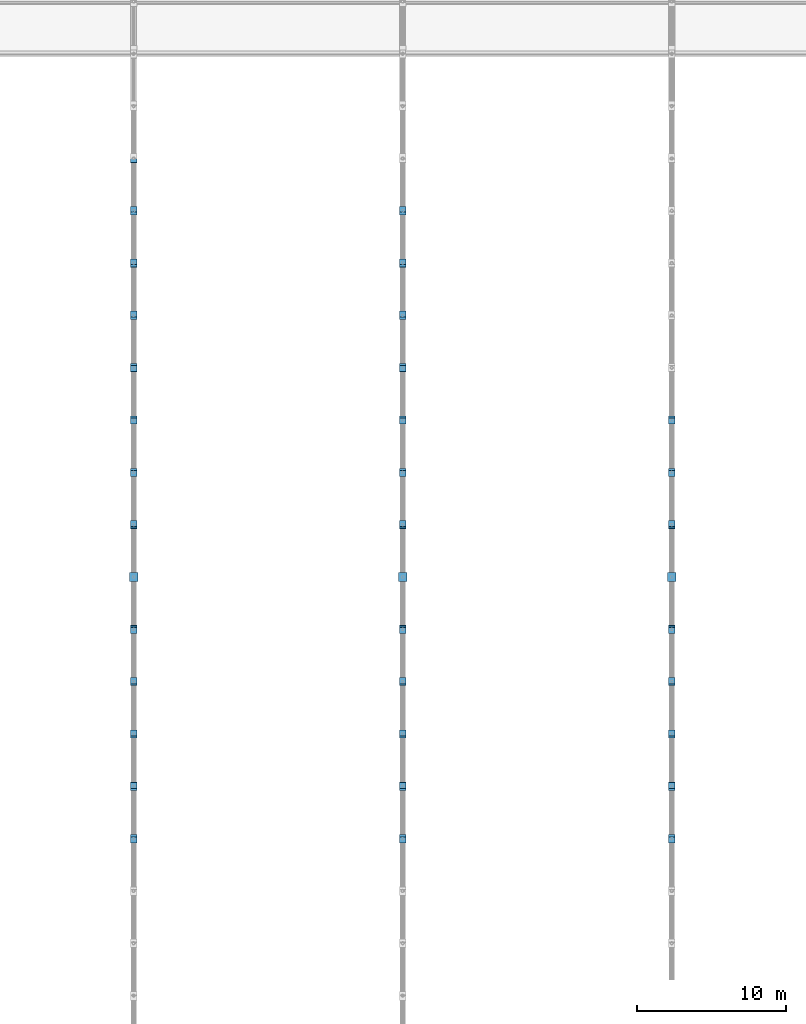
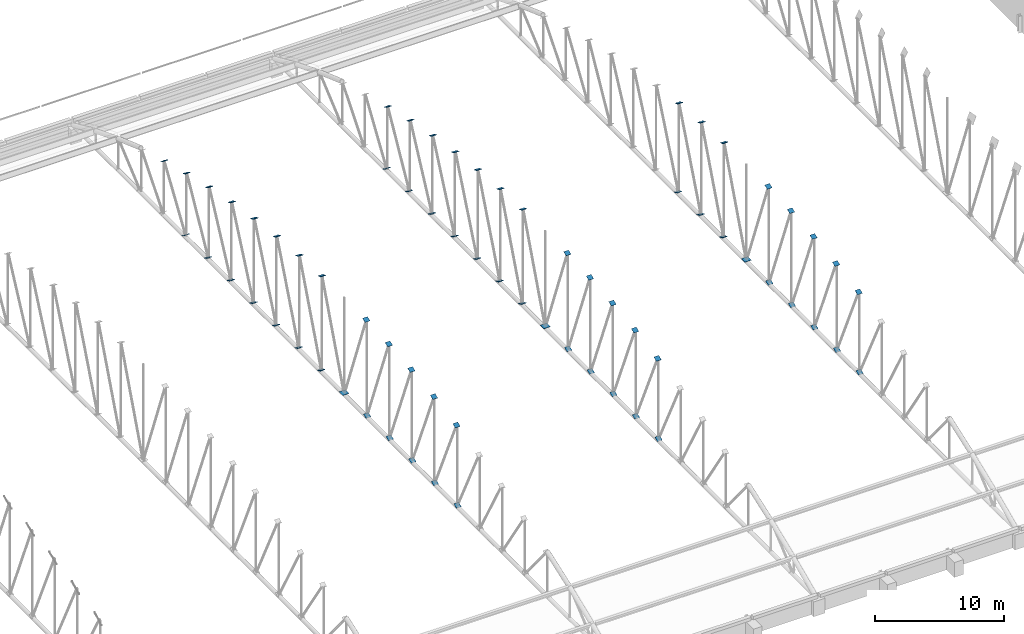
# One storey, part 175 of 196: 68 discrete accessories.
"""IFC4 building model written with IfcOpenShell, lengths in metres."""

from ifc_helpers import new_model, si_unit, direction, frame, origin, origin_2d, place, context, subcontext, project, spatial, rectangle, extrude, material, layer, layer_set, type_object, element, save


model = new_model("IFC4")

# Units and contexts
model_context = context("Model", 3, precision=1e-05, world=origin(), true_north=direction((0.0, 1.0)))
body_context = subcontext(model_context, "Body", "Model", "MODEL_VIEW")
ifc_project = project(units=[si_unit("LENGTHUNIT", "METRE"), si_unit("AREAUNIT", "SQUARE_METRE"), si_unit("VOLUMEUNIT", "CUBIC_METRE"), si_unit("PLANEANGLEUNIT", "RADIAN"), si_unit("MASSUNIT", "GRAM", prefix="KILO")], contexts=[model_context])

# Site, building, storey
site_placement = place(None, origin())
site = spatial("IfcSite", under=ifc_project, at=site_placement, CompositionType="ELEMENT")
building_placement = place(site_placement, origin())
building = spatial("IfcBuilding", under=site, at=building_placement, Name="Okhra Congress Centre", CompositionType="ELEMENT")
storey_placement = place(building_placement, frame((0.0, 0.0, 12.0)))
storey = spatial("IfcBuildingStorey", under=building, at=storey_placement, Name="L02", CompositionType="ELEMENT", Elevation=12.0)

# Discrete accessories
ifc_material = material(Name="Steel S355J2", Category="steel")
ifc_layer = layer(ifc_material, 0.02001953125)
ifc_layer_set = layer_set([ifc_layer], Name="Brace end connection plate 20 mm S355")
discrete_accessory_type = type_object("IfcDiscreteAccessoryType", Name="Brace end connection plate 20 mm S355", PredefinedType="BRACKET", material=ifc_layer_set)
for number, where, z_axis, x_axis, name in (
    (1, (82.0, 156.412841796875, 1.577880859375), (0.0, 0.437465718849, -0.899235088746), (-1.0, 0.0, 0.0), "Brace end connection plate"),
    (2, (82.0, 156.57763671875, 9.0595703125), (0.0, -0.402738614266, 0.915315032423), (1.0, 0.0, 0.0), "Brace end connection plate"),
    (3, (82.0, 159.920654296875, 1.577880859375), (0.0, 0.402738614266, -0.915315032423), (-1.0, 0.0, 0.0), "Brace end connection plate"),
    (4, (82.0, 160.073486328125, 9.6240234375), (0.0, -0.388057000058, 0.921635375138), (1.0, 0.0, 0.0), "Brace end connection plate"),
    (5, (82.0, 163.426025390625, 1.577880859375), (0.0, 0.377683854905, -0.925934612024), (-1.0, 0.0, 0.0), "Brace end connection plate"),
    (6, (82.0, 163.570556640625, 10.060546875), (0.0, -0.367166534736, 0.930155221331), (1.0, 0.0, 0.0), "Brace end connection plate"),
    (7, (82.0, 166.9296875, 1.577880859375), (0.0, 0.367166534736, -0.930155221331), (-1.0, 0.0, 0.0), "Brace end connection plate"),
    (8, (82.0, 167.069091796875, 10.37060546875), (0.0, -0.367166534736, 0.930155221331), (1.0, 0.0, 0.0), "Brace end connection plate"),
):
    element("IfcDiscreteAccessory", number, at=place(storey_placement, frame(where, z_axis=z_axis, x_axis=x_axis)), inside=storey, type_object=discrete_accessory_type, Name=name, PredefinedType="BRACKET", context=body_context, shape_type="SweptSolid", body=[
        extrude(rectangle(XDim=0.43798828125, YDim=0.43798828125, at=origin_2d()), origin(), (0.0, 0.0, 1.0), 0.02001953125),
    ])
discrete_accessory_1_placement = place(storey_placement, frame((82.0, 170.431884765625, 1.577880859375), z_axis=(0.0, 0.363030152722, -0.931777391985), x_axis=(-1.0, 0.0, 0.0)))
element("IfcDiscreteAccessory", 9, at=discrete_accessory_1_placement, inside=storey, type_object=discrete_accessory_type, Name="Brace end connection plate", PredefinedType="BRACKET", context=body_context, shape_type="SweptSolid", body=[
    extrude(rectangle(XDim=0.43798828125, YDim=0.43798828125, at=origin_2d()), origin(), (0.0, 0.0, 1.0), 0.020263671875),
])
discrete_accessory_2_placement = place(storey_placement, frame((82.0, 170.568359375, 10.55517578125), z_axis=(0.0, -0.341743063087, 0.939793423488), x_axis=(1.0, 0.0, 0.0)))
element("IfcDiscreteAccessory", 10, at=discrete_accessory_2_placement, inside=storey, type_object=discrete_accessory_type, Name="Brace end connection plate", PredefinedType="BRACKET", context=body_context, shape_type="SweptSolid", body=[
    extrude(rectangle(XDim=0.43798828125, YDim=0.43798828125, at=origin_2d()), origin(), (0.0, 0.0, 1.0), 0.02001953125),
])
discrete_accessory_3_placement = place(storey_placement, frame((82.0, 174.0, 1.577880859375), z_axis=(0.0, 0.0, -1.0), x_axis=(1.0, 0.0, 0.0)))
element("IfcDiscreteAccessory", 11, at=discrete_accessory_3_placement, inside=storey, type_object=discrete_accessory_type, Name="Brace end connection plate", PredefinedType="BRACKET", context=body_context, shape_type="SweptSolid", body=[
    extrude(rectangle(XDim=0.571044921875, YDim=0.571044921875, at=origin_2d()), origin(), (0.0, 0.0, 1.0), 0.02001953125),
])
for number, where, z_axis, x_axis, name in (
    (12, (82.0, 177.431640625, 10.55517578125), (0.0, 0.341743063087, 0.939793423488), (-1.0, 0.0, 0.0), "Brace end connection plate"),
    (13, (82.0, 180.930908203125, 10.37060546875), (0.0, 0.367166534736, 0.930155221331), (-1.0, 0.0, 0.0), "Brace end connection plate"),
):
    element("IfcDiscreteAccessory", number, at=place(storey_placement, frame(where, z_axis=z_axis, x_axis=x_axis)), inside=storey, type_object=discrete_accessory_type, Name=name, PredefinedType="BRACKET", context=body_context, shape_type="SweptSolid", body=[
        extrude(rectangle(XDim=0.43798828125, YDim=0.43798828125, at=origin_2d()), origin(), (0.0, 0.0, 1.0), 0.02001953125),
    ])
discrete_accessory_4_placement = place(storey_placement, frame((82.0, 177.568115234375, 1.577880859375), z_axis=(0.0, -0.363030152722, -0.931777391985), x_axis=(1.0, 0.0, 0.0)))
element("IfcDiscreteAccessory", 14, at=discrete_accessory_4_placement, inside=storey, type_object=discrete_accessory_type, Name="Brace end connection plate", PredefinedType="BRACKET", context=body_context, shape_type="SweptSolid", body=[
    extrude(rectangle(XDim=0.43798828125, YDim=0.43798828125, at=origin_2d()), origin(), (0.0, 0.0, 1.0), 0.020263671875),
])
for number, where, z_axis, x_axis, name in (
    (15, (82.0, 184.429443359375, 10.060546875), (0.0, 0.367166534736, 0.930155221331), (-1.0, 0.0, 0.0), "Brace end connection plate"),
    (16, (82.0, 181.0703125, 1.577880859375), (0.0, -0.367166534736, -0.930155221331), (1.0, 0.0, 0.0), "Brace end connection plate"),
    (17, (82.0, 187.926513671875, 9.6240234375), (0.0, 0.388057000058, 0.921635375138), (-1.0, 0.0, 0.0), "Brace end connection plate"),
    (18, (82.0, 184.573974609375, 1.577880859375), (0.0, -0.377683854905, -0.925934612024), (1.0, 0.0, 0.0), "Brace end connection plate"),
    (19, (82.0, 191.42236328125, 9.0595703125), (0.0, 0.402738614266, 0.915315032423), (-1.0, 0.0, 0.0), "Brace end connection plate"),
    (20, (82.0, 188.079345703125, 1.577880859375), (0.0, -0.402738614266, -0.915315032423), (1.0, 0.0, 0.0), "Brace end connection plate"),
):
    element("IfcDiscreteAccessory", number, at=place(storey_placement, frame(where, z_axis=z_axis, x_axis=x_axis)), inside=storey, type_object=discrete_accessory_type, Name=name, PredefinedType="BRACKET", context=body_context, shape_type="SweptSolid", body=[
        extrude(rectangle(XDim=0.43798828125, YDim=0.43798828125, at=origin_2d()), origin(), (0.0, 0.0, 1.0), 0.02001953125),
    ])
discrete_accessory_5_placement = place(storey_placement, frame((82.0, 194.916259765625, 8.365234375), z_axis=(0.0, 0.44229248412, 0.896870870578), x_axis=(-1.0, 0.0, 0.0)))
element("IfcDiscreteAccessory", 21, at=discrete_accessory_5_placement, inside=storey, type_object=discrete_accessory_type, Name="Brace end connection plate", PredefinedType="BRACKET", context=body_context, shape_type="SweptSolid", body=[
    extrude(rectangle(XDim=0.43798828125, YDim=0.43798828125, at=origin_2d()), origin(), (0.0, 0.0, 1.0), 0.019775390625),
])
for number, where, z_axis, x_axis, name in (
    (22, (82.0, 191.587158203125, 1.577880859375), (0.0, -0.437465718849, -0.899235088746), (1.0, 0.0, 0.0), "Brace end connection plate"),
    (23, (82.0, 198.4072265625, 7.538330078125), (0.0, 0.485642931179, 0.874157276122), (-1.0, 0.0, 0.0), "Brace end connection plate"),
    (24, (82.0, 195.0986328125, 1.577880859375), (0.0, -0.485642931179, -0.874157276122), (1.0, 0.0, 0.0), "Brace end connection plate"),
    (25, (82.0, 201.89404296875, 6.576416015625), (0.0, 0.551866900848, 0.833932205727), (-1.0, 0.0, 0.0), "Brace end connection plate"),
    (26, (82.0, 198.61669921875, 1.577880859375), (0.0, -0.546267780547, -0.837610596839), (1.0, 0.0, 0.0), "Brace end connection plate"),
    (27, (100.0, 156.412841796875, 1.577880859375), (0.0, 0.437465718849, -0.899235088746), (-1.0, 0.0, 0.0), "Brace end connection plate"),
    (28, (100.0, 156.57763671875, 9.0595703125), (0.0, -0.402738614266, 0.915315032423), (1.0, 0.0, 0.0), "Brace end connection plate"),
    (29, (100.0, 159.920654296875, 1.577880859375), (0.0, 0.402738614266, -0.915315032423), (-1.0, 0.0, 0.0), "Brace end connection plate"),
    (30, (100.0, 160.073486328125, 9.6240234375), (0.0, -0.388057000058, 0.921635375138), (1.0, 0.0, 0.0), "Brace end connection plate"),
    (31, (100.0, 163.426025390625, 1.577880859375), (0.0, 0.377683854905, -0.925934612024), (-1.0, 0.0, 0.0), "Brace end connection plate"),
    (32, (100.0, 163.570556640625, 10.060546875), (0.0, -0.367166534736, 0.930155221331), (1.0, 0.0, 0.0), "Brace end connection plate"),
    (33, (100.0, 166.9296875, 1.577880859375), (0.0, 0.367166534736, -0.930155221331), (-1.0, 0.0, 0.0), "Brace end connection plate"),
    (34, (100.0, 167.069091796875, 10.37060546875), (0.0, -0.367166534736, 0.930155221331), (1.0, 0.0, 0.0), "Brace end connection plate"),
):
    element("IfcDiscreteAccessory", number, at=place(storey_placement, frame(where, z_axis=z_axis, x_axis=x_axis)), inside=storey, type_object=discrete_accessory_type, Name=name, PredefinedType="BRACKET", context=body_context, shape_type="SweptSolid", body=[
        extrude(rectangle(XDim=0.43798828125, YDim=0.43798828125, at=origin_2d()), origin(), (0.0, 0.0, 1.0), 0.02001953125),
    ])
discrete_accessory_6_placement = place(storey_placement, frame((100.0, 170.431884765625, 1.577880859375), z_axis=(0.0, 0.363030152722, -0.931777391985), x_axis=(-1.0, 0.0, 0.0)))
element("IfcDiscreteAccessory", 35, at=discrete_accessory_6_placement, inside=storey, type_object=discrete_accessory_type, Name="Brace end connection plate", PredefinedType="BRACKET", context=body_context, shape_type="SweptSolid", body=[
    extrude(rectangle(XDim=0.43798828125, YDim=0.43798828125, at=origin_2d()), origin(), (0.0, 0.0, 1.0), 0.020263671875),
])
discrete_accessory_7_placement = place(storey_placement, frame((100.0, 170.568359375, 10.55517578125), z_axis=(0.0, -0.341743063087, 0.939793423488), x_axis=(1.0, 0.0, 0.0)))
element("IfcDiscreteAccessory", 36, at=discrete_accessory_7_placement, inside=storey, type_object=discrete_accessory_type, Name="Brace end connection plate", PredefinedType="BRACKET", context=body_context, shape_type="SweptSolid", body=[
    extrude(rectangle(XDim=0.43798828125, YDim=0.43798828125, at=origin_2d()), origin(), (0.0, 0.0, 1.0), 0.02001953125),
])
discrete_accessory_8_placement = place(storey_placement, frame((100.0, 174.0, 1.577880859375), z_axis=(0.0, 0.0, -1.0), x_axis=(1.0, 0.0, 0.0)))
element("IfcDiscreteAccessory", 37, at=discrete_accessory_8_placement, inside=storey, type_object=discrete_accessory_type, Name="Brace end connection plate", PredefinedType="BRACKET", context=body_context, shape_type="SweptSolid", body=[
    extrude(rectangle(XDim=0.571044921875, YDim=0.571044921875, at=origin_2d()), origin(), (0.0, 0.0, 1.0), 0.02001953125),
])
for number, where, z_axis, x_axis, name in (
    (38, (100.0, 177.431640625, 10.55517578125), (0.0, 0.341743063087, 0.939793423488), (-1.0, 0.0, 0.0), "Brace end connection plate"),
    (39, (100.0, 180.930908203125, 10.37060546875), (0.0, 0.367166534736, 0.930155221331), (-1.0, 0.0, 0.0), "Brace end connection plate"),
):
    element("IfcDiscreteAccessory", number, at=place(storey_placement, frame(where, z_axis=z_axis, x_axis=x_axis)), inside=storey, type_object=discrete_accessory_type, Name=name, PredefinedType="BRACKET", context=body_context, shape_type="SweptSolid", body=[
        extrude(rectangle(XDim=0.43798828125, YDim=0.43798828125, at=origin_2d()), origin(), (0.0, 0.0, 1.0), 0.02001953125),
    ])
discrete_accessory_9_placement = place(storey_placement, frame((100.0, 177.568115234375, 1.577880859375), z_axis=(0.0, -0.363030152722, -0.931777391985), x_axis=(1.0, 0.0, 0.0)))
element("IfcDiscreteAccessory", 40, at=discrete_accessory_9_placement, inside=storey, type_object=discrete_accessory_type, Name="Brace end connection plate", PredefinedType="BRACKET", context=body_context, shape_type="SweptSolid", body=[
    extrude(rectangle(XDim=0.43798828125, YDim=0.43798828125, at=origin_2d()), origin(), (0.0, 0.0, 1.0), 0.020263671875),
])
for number, where, z_axis, x_axis, name in (
    (41, (100.0, 184.429443359375, 10.060546875), (0.0, 0.367166534736, 0.930155221331), (-1.0, 0.0, 0.0), "Brace end connection plate"),
    (42, (100.0, 181.0703125, 1.577880859375), (0.0, -0.367166534736, -0.930155221331), (1.0, 0.0, 0.0), "Brace end connection plate"),
    (43, (100.0, 187.926513671875, 9.6240234375), (0.0, 0.388057000058, 0.921635375138), (-1.0, 0.0, 0.0), "Brace end connection plate"),
    (44, (100.0, 184.573974609375, 1.577880859375), (0.0, -0.377683854905, -0.925934612024), (1.0, 0.0, 0.0), "Brace end connection plate"),
    (45, (100.0, 191.42236328125, 9.0595703125), (0.0, 0.402738614266, 0.915315032423), (-1.0, 0.0, 0.0), "Brace end connection plate"),
    (46, (100.0, 188.079345703125, 1.577880859375), (0.0, -0.402738614266, -0.915315032423), (1.0, 0.0, 0.0), "Brace end connection plate"),
):
    element("IfcDiscreteAccessory", number, at=place(storey_placement, frame(where, z_axis=z_axis, x_axis=x_axis)), inside=storey, type_object=discrete_accessory_type, Name=name, PredefinedType="BRACKET", context=body_context, shape_type="SweptSolid", body=[
        extrude(rectangle(XDim=0.43798828125, YDim=0.43798828125, at=origin_2d()), origin(), (0.0, 0.0, 1.0), 0.02001953125),
    ])
discrete_accessory_10_placement = place(storey_placement, frame((100.0, 194.916259765625, 8.365234375), z_axis=(0.0, 0.44229248412, 0.896870870578), x_axis=(-1.0, 0.0, 0.0)))
element("IfcDiscreteAccessory", 47, at=discrete_accessory_10_placement, inside=storey, type_object=discrete_accessory_type, Name="Brace end connection plate", PredefinedType="BRACKET", context=body_context, shape_type="SweptSolid", body=[
    extrude(rectangle(XDim=0.43798828125, YDim=0.43798828125, at=origin_2d()), origin(), (0.0, 0.0, 1.0), 0.019775390625),
])
for number, where, z_axis, x_axis, name in (
    (48, (100.0, 191.587158203125, 1.577880859375), (0.0, -0.437465718849, -0.899235088746), (1.0, 0.0, 0.0), "Brace end connection plate"),
    (49, (100.0, 198.4072265625, 7.538330078125), (0.0, 0.485642931179, 0.874157276122), (-1.0, 0.0, 0.0), "Brace end connection plate"),
    (50, (100.0, 195.0986328125, 1.577880859375), (0.0, -0.485642931179, -0.874157276122), (1.0, 0.0, 0.0), "Brace end connection plate"),
    (51, (100.0, 198.61669921875, 1.577880859375), (0.0, -0.546267780547, -0.837610596839), (1.0, 0.0, 0.0), "Brace end connection plate"),
    (52, (118.0, 156.412841796875, 1.577880859375), (0.0, 0.437465718849, -0.899235088746), (-1.0, 0.0, 0.0), "Brace end connection plate"),
    (53, (118.0, 156.57763671875, 9.0595703125), (0.0, -0.402738614266, 0.915315032423), (1.0, 0.0, 0.0), "Brace end connection plate"),
    (54, (118.0, 159.920654296875, 1.577880859375), (0.0, 0.402738614266, -0.915315032423), (-1.0, 0.0, 0.0), "Brace end connection plate"),
    (55, (118.0, 160.073486328125, 9.6240234375), (0.0, -0.388057000058, 0.921635375138), (1.0, 0.0, 0.0), "Brace end connection plate"),
    (56, (118.0, 163.426025390625, 1.577880859375), (0.0, 0.377683854905, -0.925934612024), (-1.0, 0.0, 0.0), "Brace end connection plate"),
    (57, (118.0, 163.570556640625, 10.060546875), (0.0, -0.367166534736, 0.930155221331), (1.0, 0.0, 0.0), "Brace end connection plate"),
    (58, (118.0, 166.9296875, 1.577880859375), (0.0, 0.367166534736, -0.930155221331), (-1.0, 0.0, 0.0), "Brace end connection plate"),
    (59, (118.0, 167.069091796875, 10.37060546875), (0.0, -0.367166534736, 0.930155221331), (1.0, 0.0, 0.0), "Brace end connection plate"),
):
    element("IfcDiscreteAccessory", number, at=place(storey_placement, frame(where, z_axis=z_axis, x_axis=x_axis)), inside=storey, type_object=discrete_accessory_type, Name=name, PredefinedType="BRACKET", context=body_context, shape_type="SweptSolid", body=[
        extrude(rectangle(XDim=0.43798828125, YDim=0.43798828125, at=origin_2d()), origin(), (0.0, 0.0, 1.0), 0.02001953125),
    ])
discrete_accessory_11_placement = place(storey_placement, frame((118.0, 170.431884765625, 1.577880859375), z_axis=(0.0, 0.363030152722, -0.931777391985), x_axis=(-1.0, 0.0, 0.0)))
element("IfcDiscreteAccessory", 60, at=discrete_accessory_11_placement, inside=storey, type_object=discrete_accessory_type, Name="Brace end connection plate", PredefinedType="BRACKET", context=body_context, shape_type="SweptSolid", body=[
    extrude(rectangle(XDim=0.43798828125, YDim=0.43798828125, at=origin_2d()), origin(), (0.0, 0.0, 1.0), 0.020263671875),
])
discrete_accessory_12_placement = place(storey_placement, frame((118.0, 170.568359375, 10.55517578125), z_axis=(0.0, -0.341743063087, 0.939793423488), x_axis=(1.0, 0.0, 0.0)))
element("IfcDiscreteAccessory", 61, at=discrete_accessory_12_placement, inside=storey, type_object=discrete_accessory_type, Name="Brace end connection plate", PredefinedType="BRACKET", context=body_context, shape_type="SweptSolid", body=[
    extrude(rectangle(XDim=0.43798828125, YDim=0.43798828125, at=origin_2d()), origin(), (0.0, 0.0, 1.0), 0.02001953125),
])
discrete_accessory_13_placement = place(storey_placement, frame((118.0, 174.0, 1.577880859375), z_axis=(0.0, 0.0, -1.0), x_axis=(1.0, 0.0, 0.0)))
element("IfcDiscreteAccessory", 62, at=discrete_accessory_13_placement, inside=storey, type_object=discrete_accessory_type, Name="Brace end connection plate", PredefinedType="BRACKET", context=body_context, shape_type="SweptSolid", body=[
    extrude(rectangle(XDim=0.571044921875, YDim=0.571044921875, at=origin_2d()), origin(), (0.0, 0.0, 1.0), 0.02001953125),
])
for number, where, z_axis, x_axis, name in (
    (63, (118.0, 177.431640625, 10.55517578125), (0.0, 0.341743063087, 0.939793423488), (-1.0, 0.0, 0.0), "Brace end connection plate"),
    (64, (118.0, 180.930908203125, 10.37060546875), (0.0, 0.367166534736, 0.930155221331), (-1.0, 0.0, 0.0), "Brace end connection plate"),
):
    element("IfcDiscreteAccessory", number, at=place(storey_placement, frame(where, z_axis=z_axis, x_axis=x_axis)), inside=storey, type_object=discrete_accessory_type, Name=name, PredefinedType="BRACKET", context=body_context, shape_type="SweptSolid", body=[
        extrude(rectangle(XDim=0.43798828125, YDim=0.43798828125, at=origin_2d()), origin(), (0.0, 0.0, 1.0), 0.02001953125),
    ])
discrete_accessory_14_placement = place(storey_placement, frame((118.0, 177.568115234375, 1.577880859375), z_axis=(0.0, -0.363030152722, -0.931777391985), x_axis=(1.0, 0.0, 0.0)))
element("IfcDiscreteAccessory", 65, at=discrete_accessory_14_placement, inside=storey, type_object=discrete_accessory_type, Name="Brace end connection plate", PredefinedType="BRACKET", context=body_context, shape_type="SweptSolid", body=[
    extrude(rectangle(XDim=0.43798828125, YDim=0.43798828125, at=origin_2d()), origin(), (0.0, 0.0, 1.0), 0.020263671875),
])
for number, where, z_axis, x_axis, name in (
    (66, (118.0, 184.429443359375, 10.060546875), (0.0, 0.367166534736, 0.930155221331), (-1.0, 0.0, 0.0), "Brace end connection plate"),
    (67, (118.0, 181.0703125, 1.577880859375), (0.0, -0.367166534736, -0.930155221331), (1.0, 0.0, 0.0), "Brace end connection plate"),
    (68, (118.0, 184.573974609375, 1.577880859375), (0.0, -0.377683854905, -0.925934612024), (1.0, 0.0, 0.0), "Brace end connection plate"),
):
    element("IfcDiscreteAccessory", number, at=place(storey_placement, frame(where, z_axis=z_axis, x_axis=x_axis)), inside=storey, type_object=discrete_accessory_type, Name=name, PredefinedType="BRACKET", context=body_context, shape_type="SweptSolid", body=[
        extrude(rectangle(XDim=0.43798828125, YDim=0.43798828125, at=origin_2d()), origin(), (0.0, 0.0, 1.0), 0.02001953125),
    ])

save(model, "model.ifc")
